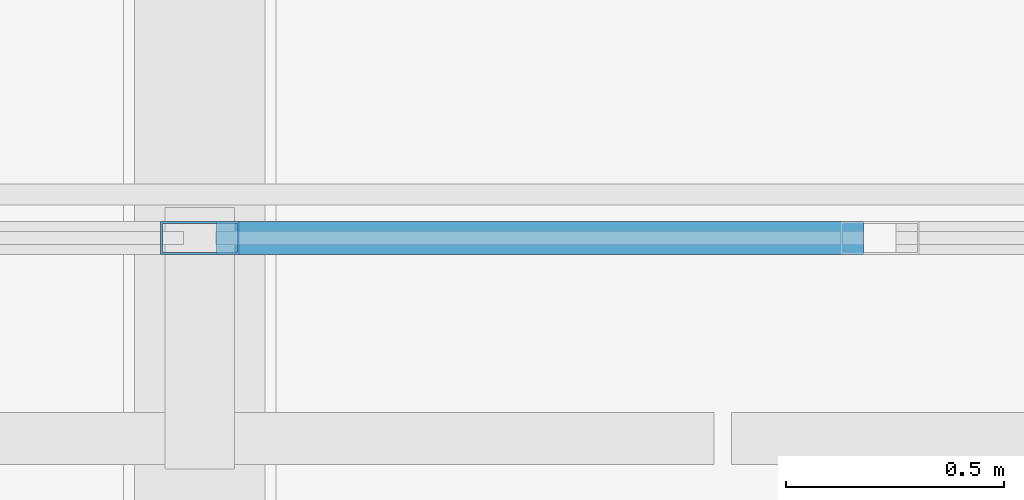
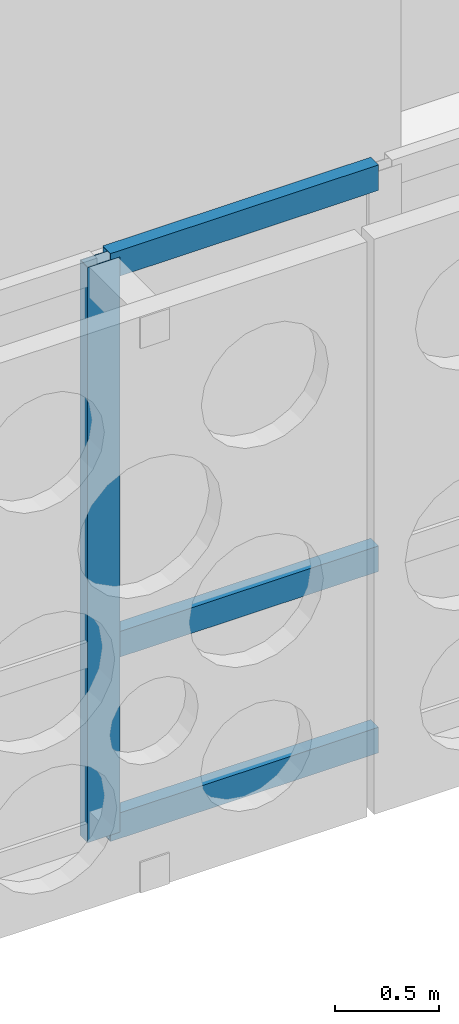
# One storey, part 49 of 171: 4 members, 1 element without a shape of its own.
"""IFC4 building model written with IfcOpenShell, lengths in metres."""

from ifc_helpers import new_model, si_unit, direction, frame, origin, origin_2d, place, context, subcontext, project, spatial, hollow_rectangle, extrude, material, material_profile, profile_set, type_object, element, aggregate, save


model = new_model("IFC4")

# Units and contexts
model_context = context("Model", 3, precision=1e-05, world=origin(), true_north=direction((0.0, 1.0)))
body_context = subcontext(model_context, "Body", "Model", "MODEL_VIEW")
ifc_project = project(units=[si_unit("LENGTHUNIT", "METRE"), si_unit("AREAUNIT", "SQUARE_METRE"), si_unit("VOLUMEUNIT", "CUBIC_METRE"), si_unit("PLANEANGLEUNIT", "RADIAN"), si_unit("MASSUNIT", "GRAM", prefix="KILO")], contexts=[model_context])

# Site, building, storey
site_placement = place(None, origin())
site = spatial("IfcSite", under=ifc_project, at=site_placement, CompositionType="ELEMENT")
building_placement = place(site_placement, origin())
building = spatial("IfcBuilding", under=site, at=building_placement, Name="Aldebral Square Health Centre", CompositionType="ELEMENT")
storey_placement = place(building_placement, frame((0.0, 0.0, 4.5)))
storey = spatial("IfcBuildingStorey", under=building, at=storey_placement, Name="L01", CompositionType="ELEMENT", Elevation=4.5)

# Curtain wall, members
ifc_material_1 = material(Name="Aluminium and low-E solar glass", Category="aluminium")
curtain_wall_type = type_object("IfcCurtainWallType", Name="CW-HALL-SYS", PredefinedType="USERDEFINED", material=ifc_material_1)
curtain_wall_placement = place(storey_placement, origin())
curtain_wall = element("IfcCurtainWall", 1, at=curtain_wall_placement, inside=storey, type_object=curtain_wall_type, Name="L01 V1 hall curtain wall L01-V1-13-13-S", ObjectType="HALL_CURTAIN_WALL", PredefinedType="USERDEFINED")
ifc_material_2 = material(Name="Anodised aluminium mullion", Category="aluminium")
ifc_material_profile_1 = material_profile(ifc_material_2, hollow_rectangle(XDim=0.074951171875, YDim=0.179931640625, WallThickness=0.00390625, at=origin_2d()), Name="CWM 75x180x4")
ifc_profile_set_1 = profile_set([ifc_material_profile_1], Name="Anodised aluminium mullion")
member_type_1 = type_object("IfcMemberType", Name="CWM-STD", PredefinedType="MULLION", material=ifc_profile_set_1)
member_1_placement = place(storey_placement, frame((97.199951171875, 93.60009765625, 0.0), z_axis=(0.0, 0.0, 1.0), x_axis=(0.0, 1.0, 0.0)))
member_1 = element("IfcMember", 2, at=member_1_placement, type_object=member_type_1, Name="CW2 mullion 3", PredefinedType="MULLION", context=body_context, shape_type="SweptSolid", body=[
    extrude(hollow_rectangle(XDim=0.074951171875, YDim=0.179931640625, WallThickness=0.00390625, at=origin_2d()), origin(), (0.0, 0.0, 1.0), 3.3701171875),
])
ifc_material_3 = material(Name="Anodised aluminium transom", Category="aluminium")
ifc_material_profile_2 = material_profile(ifc_material_3, hollow_rectangle(XDim=0.074951171875, YDim=0.14990234375, WallThickness=0.00390625, at=origin_2d()), Name="CWT 75x150x4")
ifc_profile_set_2 = profile_set([ifc_material_profile_2], Name="Anodised aluminium transom")
member_type_2 = type_object("IfcMemberType", Name="CWT-STD", PredefinedType="USERDEFINED", material=ifc_profile_set_2)
member_2_placement = place(storey_placement, frame((97.237548828125, 93.60009765625, 0.03759765625), z_axis=(1.0, 0.0, 0.0), x_axis=(0.0, 1.0, 0.0)))
member_2 = element("IfcMember", 3, at=member_2_placement, type_object=member_type_2, Name="CW2 transom 3.1", ObjectType="TRANSOM", PredefinedType="USERDEFINED", context=body_context, shape_type="SweptSolid", body=[
    extrude(hollow_rectangle(XDim=0.074951171875, YDim=0.14990234375, WallThickness=0.00390625, at=origin_2d()), origin(), (0.0, 0.0, 1.0), 1.48486328125),
])
member_3_placement = place(storey_placement, frame((97.237548828125, 93.60009765625, 1.10009765625), z_axis=(1.0, 0.0, 0.0), x_axis=(0.0, 1.0, 0.0)))
member_3 = element("IfcMember", 4, at=member_3_placement, type_object=member_type_2, Name="CW2 transom 3.2", ObjectType="TRANSOM", PredefinedType="USERDEFINED", context=body_context, shape_type="SweptSolid", body=[
    extrude(hollow_rectangle(XDim=0.074951171875, YDim=0.14990234375, WallThickness=0.00390625, at=origin_2d()), origin(), (0.0, 0.0, 1.0), 1.48486328125),
])
member_4_placement = place(storey_placement, frame((97.237548828125, 93.60009765625, 3.33251953125), z_axis=(1.0, 0.0, 0.0), x_axis=(0.0, 1.0, 0.0)))
member_4 = element("IfcMember", 5, at=member_4_placement, type_object=member_type_2, Name="CW2 transom 3.3", ObjectType="TRANSOM", PredefinedType="USERDEFINED", context=body_context, shape_type="SweptSolid", body=[
    extrude(hollow_rectangle(XDim=0.074951171875, YDim=0.14990234375, WallThickness=0.00390625, at=origin_2d()), origin(), (0.0, 0.0, 1.0), 1.48486328125),
])
aggregate(curtain_wall, [member_1, member_2, member_3, member_4])

save(model, "model.ifc")
